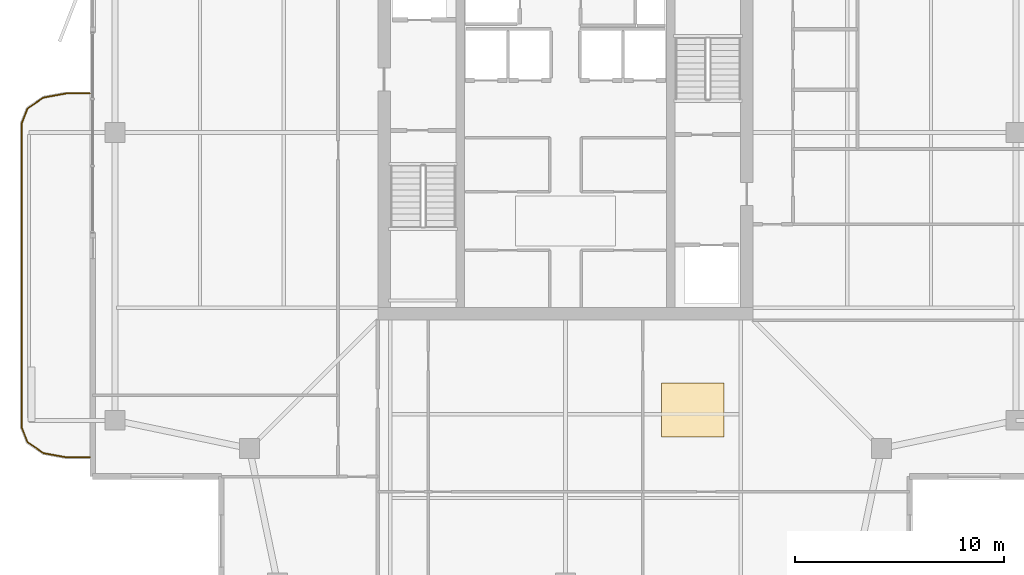
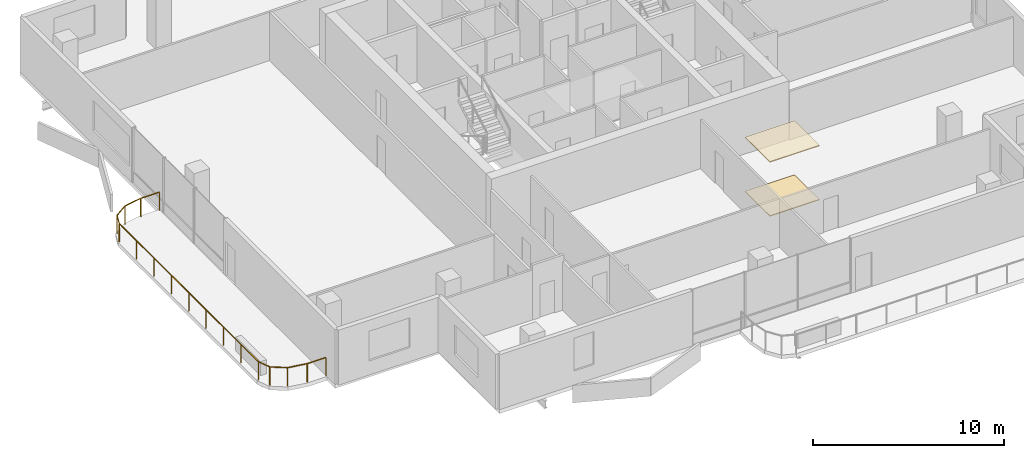
# One storey, part 16 of 18: 2 coverings, 1 railing.
"""IFC4 building model written with IfcOpenShell, lengths in metres."""

from ifc_helpers import new_model, si_unit, direction, frame, origin, origin_2d, place, context, subcontext, project, spatial, polyline, rectangle, outline, extrude, material, layer, layer_set, type_object, element, save


model = new_model("IFC4")

# Units and contexts
model_context = context("Model", 3, precision=1e-05, world=origin(), true_north=direction((0.0, 1.0)))
body_context = subcontext(model_context, "Body", "Model", "MODEL_VIEW")
ifc_project = project(units=[si_unit("LENGTHUNIT", "METRE"), si_unit("AREAUNIT", "SQUARE_METRE"), si_unit("VOLUMEUNIT", "CUBIC_METRE"), si_unit("PLANEANGLEUNIT", "RADIAN"), si_unit("MASSUNIT", "GRAM", prefix="KILO")], contexts=[model_context])

# Site, building, storey
site_placement = place(None, origin())
site = spatial("IfcSite", under=ifc_project, at=site_placement, CompositionType="ELEMENT")
building_placement = place(site_placement, origin())
building = spatial("IfcBuilding", under=site, at=building_placement, Name="Belovzor Exchange Tower", CompositionType="ELEMENT")
storey_placement = place(building_placement, frame((0.0, 0.0, 310.5)))
storey = spatial("IfcBuildingStorey", under=building, at=storey_placement, Name="L77", CompositionType="ELEMENT", Elevation=310.5)

# Railing
ifc_material_1 = material(Name="Stainless Steel and Laminated Safety Glass", Category="steel")
railing_type = type_object("IfcRailingType", Name="Laminated Glass & Stainless Steel Balcony Balustrade 1200", PredefinedType="BALUSTRADE", material=ifc_material_1)
railing_placement = place(storey_placement, frame((5.989990234375, 30.669921875, 0.0)))
element("IfcRailing", 1, at=railing_placement, inside=storey, type_object=railing_type, Name="GR-1 Balcony Balustrade L77 West", PredefinedType="BALUSTRADE", context=body_context, shape_type="SweptSolid", body=[
    extrude(rectangle(XDim=0.048095703125, YDim=0.048095703125, at=origin_2d()), frame((0.0, 0.0, 1.17578125), z_axis=(-1.0, 0.0, 0.0), x_axis=(0.0, -1.0, 0.0)), (0.0, 0.0, 1.0), 1.133056640625),
    extrude(rectangle(XDim=0.048095703125, YDim=0.048095703125, at=origin_2d()), frame((-1.133056640625, 0.0, 1.17578125), z_axis=(-0.983644145941, -0.180122719713, 0.0), x_axis=(0.180122719713, -0.983644145941, 0.0)), (0.0, 0.0, 1.0), 1.09375),
    extrude(rectangle(XDim=0.048095703125, YDim=0.048095703125, at=origin_2d()), frame((-2.208984375, -0.197021484375, 1.17578125), z_axis=(-0.826614792125, -0.562768145367, 0.0), x_axis=(0.562768145367, -0.826614792125, 0.0)), (0.0, 0.0, 1.0), 0.9326171875),
    extrude(rectangle(XDim=0.048095703125, YDim=0.048095703125, at=origin_2d()), frame((-2.97998046875, -0.721923828125, 1.17578125), z_axis=(-0.365612923861, -0.930766990125, 0.0), x_axis=(0.930766990125, -0.365612923861, 0.0)), (0.0, 0.0, 1.0), 0.765869140625),
    extrude(rectangle(XDim=0.048095703125, YDim=0.048095703125, at=origin_2d()), frame((-3.260009765625, -1.434814453125, 1.17578125), z_axis=(0.0, -1.0, 0.0), x_axis=(1.0, 0.0, 0.0)), (0.0, 0.0, 1.0), 14.570068359375),
    extrude(rectangle(XDim=0.048095703125, YDim=0.048095703125, at=origin_2d()), frame((-3.260009765625, -16.0048828125, 1.17578125), z_axis=(0.365504480807, -0.930809580156, 0.0), x_axis=(0.930809580156, 0.365504480807, 0.0)), (0.0, 0.0, 1.0), 0.76611328125),
    extrude(rectangle(XDim=0.048095703125, YDim=0.048095703125, at=origin_2d()), frame((-2.97998046875, -16.718017578125, 1.17578125), z_axis=(0.826614792125, -0.562768145367, 0.0), x_axis=(0.562768145367, 0.826614792125, 0.0)), (0.0, 0.0, 1.0), 0.9326171875),
    extrude(rectangle(XDim=0.048095703125, YDim=0.048095703125, at=origin_2d()), frame((-2.208984375, -17.242919921875, 1.17578125), z_axis=(0.983644145941, -0.180122719713, 0.0), x_axis=(0.180122719713, 0.983644145941, 0.0)), (0.0, 0.0, 1.0), 1.09375),
    extrude(rectangle(XDim=0.048095703125, YDim=0.048095703125, at=origin_2d()), frame((-1.133056640625, -17.43994140625, 1.17578125), z_axis=(1.0, 0.0, 0.0), x_axis=(0.0, 1.0, 0.0)), (0.0, 0.0, 1.0), 1.133056640625),
    extrude(rectangle(XDim=0.0419921875, YDim=0.0419921875, at=origin_2d()), origin(), (0.0, 0.0, 1.0), 1.15185546875),
    extrude(rectangle(XDim=0.0419921875, YDim=0.0419921875, at=origin_2d()), frame((-1.133056640625, 0.0, 0.0)), (0.0, 0.0, 1.0), 1.15185546875),
    extrude(rectangle(XDim=0.0419921875, YDim=0.0419921875, at=origin_2d()), frame((-2.208984375, -0.197021484375, 0.0)), (0.0, 0.0, 1.0), 1.15185546875),
    extrude(rectangle(XDim=0.0419921875, YDim=0.0419921875, at=origin_2d()), frame((-2.97998046875, -0.721923828125, 0.0)), (0.0, 0.0, 1.0), 1.15185546875),
    extrude(rectangle(XDim=0.0419921875, YDim=0.0419921875, at=origin_2d()), frame((-3.260009765625, -1.434814453125, 0.0)), (0.0, 0.0, 1.0), 1.15185546875),
    extrude(rectangle(XDim=0.0419921875, YDim=0.0419921875, at=origin_2d()), frame((-3.260009765625, -3.256103515625, 0.0)), (0.0, 0.0, 1.0), 1.15185546875),
    extrude(rectangle(XDim=0.0419921875, YDim=0.0419921875, at=origin_2d()), frame((-3.260009765625, -5.077392578125, 0.0)), (0.0, 0.0, 1.0), 1.15185546875),
    extrude(rectangle(XDim=0.0419921875, YDim=0.0419921875, at=origin_2d()), frame((-3.260009765625, -6.898681640625, 0.0)), (0.0, 0.0, 1.0), 1.15185546875),
    extrude(rectangle(XDim=0.0419921875, YDim=0.0419921875, at=origin_2d()), frame((-3.260009765625, -8.7197265625, 0.0)), (0.0, 0.0, 1.0), 1.15185546875),
    extrude(rectangle(XDim=0.0419921875, YDim=0.0419921875, at=origin_2d()), frame((-3.260009765625, -10.541015625, 0.0)), (0.0, 0.0, 1.0), 1.15185546875),
    extrude(rectangle(XDim=0.0419921875, YDim=0.0419921875, at=origin_2d()), frame((-3.260009765625, -12.3623046875, 0.0)), (0.0, 0.0, 1.0), 1.15185546875),
    extrude(rectangle(XDim=0.0419921875, YDim=0.0419921875, at=origin_2d()), frame((-3.260009765625, -14.18359375, 0.0)), (0.0, 0.0, 1.0), 1.15185546875),
    extrude(rectangle(XDim=0.0419921875, YDim=0.0419921875, at=origin_2d()), frame((-3.260009765625, -16.0048828125, 0.0)), (0.0, 0.0, 1.0), 1.15185546875),
    extrude(rectangle(XDim=0.0419921875, YDim=0.0419921875, at=origin_2d()), frame((-2.97998046875, -16.718017578125, 0.0)), (0.0, 0.0, 1.0), 1.15185546875),
    extrude(rectangle(XDim=0.0419921875, YDim=0.0419921875, at=origin_2d()), frame((-2.208984375, -17.242919921875, 0.0)), (0.0, 0.0, 1.0), 1.15185546875),
    extrude(rectangle(XDim=0.0419921875, YDim=0.0419921875, at=origin_2d()), frame((-1.133056640625, -17.43994140625, 0.0)), (0.0, 0.0, 1.0), 1.15185546875),
    extrude(rectangle(XDim=0.0419921875, YDim=0.0419921875, at=origin_2d()), frame((0.0, -17.43994140625, 0.0)), (0.0, 0.0, 1.0), 1.15185546875),
])

# Coverings
ifc_material_2 = material(Name="Perforated Powder-Coated Aluminium", Category="aluminium")
ifc_layer_1 = layer(ifc_material_2, 0.06005859375)
ifc_layer_set_1 = layer_set([ifc_layer_1], Name="Perforated Powder-Coated Aluminium")
covering_type_1 = type_object("IfcCoveringType", Name="Perforated Acoustic Metal Tile Suspended Ceiling 60", PredefinedType="CEILING", material=ifc_layer_set_1)
covering_1_placement = place(storey_placement, frame((0.0, 0.0, 3.449951171875)))
element("IfcCovering", 2, at=covering_1_placement, inside=storey, type_object=covering_type_1, Name="CLG-AC60 Suspended Ceiling CLG-L77-Z1", PredefinedType="CEILING", context=body_context, shape_type="SweptSolid", body=[
    extrude(outline(polyline([(33.39990234375, 14.199951171875), (36.39990234375, 14.199951171875), (36.39990234375, 16.800048828125), (33.39990234375, 16.800048828125), (33.39990234375, 14.199951171875)])), origin(), (0.0, 0.0, 1.0), 0.06005859375),
])
ifc_material_3 = material(Name="Polished Natural Granite Tile", Category="masonry")
ifc_layer_2 = layer(ifc_material_3, 0.050048828125)
ifc_layer_set_2 = layer_set([ifc_layer_2], Name="Polished Natural Granite Tile")
covering_type_2 = type_object("IfcCoveringType", Name="Polished Karelian Granite & Raised Access Floor Finish 50", PredefinedType="FLOORING", material=ifc_layer_set_2)
covering_2_placement = place(storey_placement, origin())
element("IfcCovering", 3, at=covering_2_placement, inside=storey, type_object=covering_type_2, Name="FLR-GR50 Floor Finish FLR-L77-Z1", PredefinedType="FLOORING", context=body_context, shape_type="SweptSolid", body=[
    extrude(outline(polyline([(33.39990234375, 14.199951171875), (36.39990234375, 14.199951171875), (36.39990234375, 16.800048828125), (33.39990234375, 16.800048828125), (33.39990234375, 14.199951171875)])), origin(), (0.0, 0.0, 1.0), 0.050048828125),
])

save(model, "model.ifc")
